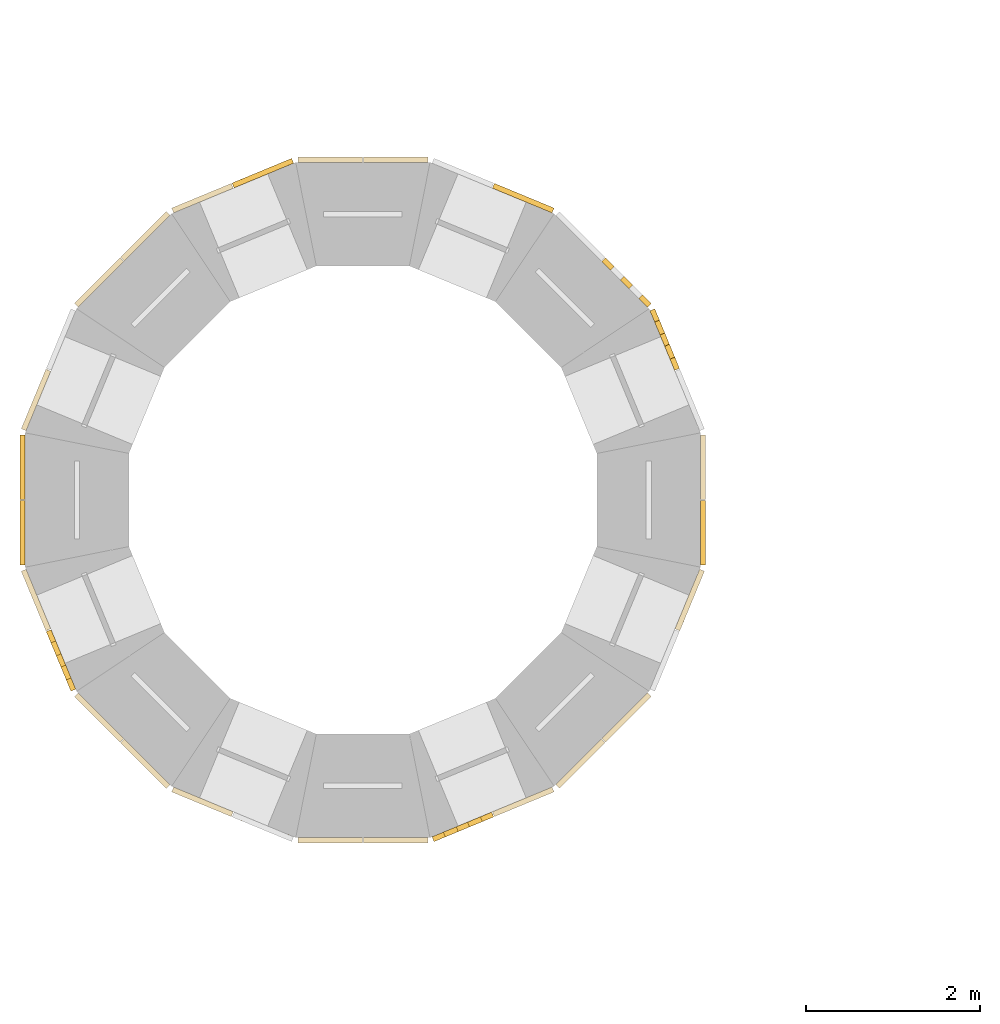
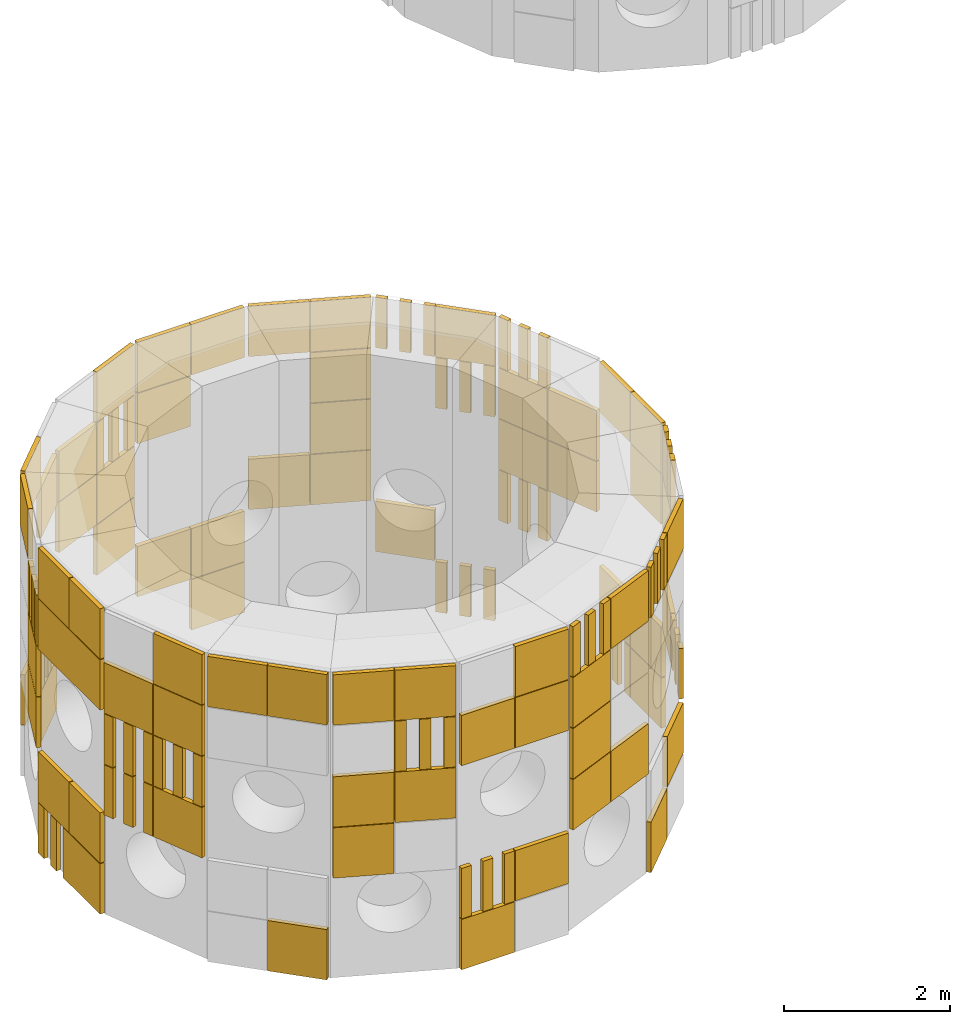
# One storey, part 34 of 42: 3 coverings.
"""IFC4 building model written with IfcOpenShell, lengths in metres."""

from ifc_helpers import new_model, si_unit, direction, frame, origin, origin_2d, place, context, subcontext, project, spatial, rectangle, extrude, material, layer, layer_set, type_object, element, save


model = new_model("IFC4")

# Units and contexts
model_context = context("Model", 3, precision=1e-05, world=origin(), true_north=direction((0.0, 1.0)))
body_context = subcontext(model_context, "Body", "Model", "MODEL_VIEW")
ifc_project = project(units=[si_unit("LENGTHUNIT", "METRE"), si_unit("AREAUNIT", "SQUARE_METRE"), si_unit("VOLUMEUNIT", "CUBIC_METRE"), si_unit("PLANEANGLEUNIT", "RADIAN"), si_unit("MASSUNIT", "GRAM", prefix="KILO")], contexts=[model_context])

# Site, building, storey
site_placement = place(None, origin())
site = spatial("IfcSite", under=ifc_project, at=site_placement, CompositionType="ELEMENT")
building_placement = place(site_placement, origin())
building = spatial("IfcBuilding", under=site, at=building_placement, Name="Sun Court Science Centre", CompositionType="ELEMENT")
storey_placement = place(building_placement, frame((0.0, 0.0, 20.25)))
storey = spatial("IfcBuildingStorey", under=building, at=storey_placement, Name="L04", CompositionType="ELEMENT", Elevation=20.25)

# Coverings
ifc_material_1 = material(Name="Terracotta jali", Category="masonry")
ifc_layer_1 = layer(ifc_material_1, 0.06005859375)
ifc_layer_set_1 = layer_set([ifc_layer_1], Name="Terracotta jali")
covering_type_1 = type_object("IfcCoveringType", Name="Terracotta open jali panel", PredefinedType="CLADDING", material=ifc_layer_set_1)
covering_1_placement = place(storey_placement, frame((0.0, 0.0, -20.25)))
element("IfcCovering", 1, at=covering_1_placement, inside=storey, type_object=covering_type_1, Name="Open jali pixel cladding cone 1 L04", PredefinedType="CLADDING", context=body_context, shape_type="SweptSolid", body=[
    extrude(rectangle(XDim=0.139892578125, YDim=0.06005859375, at=origin_2d()), frame((9.3486328125, 13.61767578125, 21.455078125), z_axis=(0.0, 0.0, 1.0), x_axis=(0.382683432365, -0.923879532511, 0.0)), (0.0, 0.0, 1.0), 0.739990234375),
    extrude(rectangle(XDim=0.139892578125, YDim=0.06005859375, at=origin_2d()), frame((9.46337890625, 13.340576171875, 21.455078125), z_axis=(0.0, 0.0, 1.0), x_axis=(0.382683432365, -0.923879532511, 0.0)), (0.0, 0.0, 1.0), 0.739990234375),
    extrude(rectangle(XDim=0.139892578125, YDim=0.06005859375, at=origin_2d()), frame((9.578125, 13.063232421875, 21.455078125), z_axis=(0.0, 0.0, 1.0), x_axis=(0.382683432365, -0.923879532511, 0.0)), (0.0, 0.0, 1.0), 0.739990234375),
    extrude(rectangle(XDim=0.139892578125, YDim=0.06005859375, at=origin_2d()), frame((9.3486328125, 13.61767578125, 23.705078125), z_axis=(0.0, 0.0, 1.0), x_axis=(0.382683432365, -0.923879532511, 0.0)), (0.0, 0.0, 1.0), 0.739990234375),
    extrude(rectangle(XDim=0.139892578125, YDim=0.06005859375, at=origin_2d()), frame((9.46337890625, 13.340576171875, 23.705078125), z_axis=(0.0, 0.0, 1.0), x_axis=(0.382683432365, -0.923879532511, 0.0)), (0.0, 0.0, 1.0), 0.739990234375),
    extrude(rectangle(XDim=0.139892578125, YDim=0.06005859375, at=origin_2d()), frame((9.578125, 13.063232421875, 23.705078125), z_axis=(0.0, 0.0, 1.0), x_axis=(0.382683432365, -0.923879532511, 0.0)), (0.0, 0.0, 1.0), 0.739990234375),
    extrude(rectangle(XDim=0.139892578125, YDim=0.06005859375, at=origin_2d()), frame((8.813720703125, 14.20751953125, 19.955078125), z_axis=(0.0, 0.0, 1.0), x_axis=(0.707106781187, -0.707106781187, 0.0)), (0.0, 0.0, 1.0), 0.739990234375),
    extrude(rectangle(XDim=0.139892578125, YDim=0.06005859375, at=origin_2d()), frame((9.02587890625, 13.995361328125, 19.955078125), z_axis=(0.0, 0.0, 1.0), x_axis=(0.707106781187, -0.707106781187, 0.0)), (0.0, 0.0, 1.0), 0.739990234375),
    extrude(rectangle(XDim=0.139892578125, YDim=0.06005859375, at=origin_2d()), frame((9.23779296875, 13.783203125, 19.955078125), z_axis=(0.0, 0.0, 1.0), x_axis=(0.707106781187, -0.707106781187, 0.0)), (0.0, 0.0, 1.0), 0.739990234375),
    extrude(rectangle(XDim=0.139892578125, YDim=0.06005859375, at=origin_2d()), frame((8.813720703125, 14.20751953125, 22.955078125), z_axis=(0.0, 0.0, 1.0), x_axis=(0.707106781187, -0.707106781187, 0.0)), (0.0, 0.0, 1.0), 0.739990234375),
    extrude(rectangle(XDim=0.139892578125, YDim=0.06005859375, at=origin_2d()), frame((9.02587890625, 13.995361328125, 22.955078125), z_axis=(0.0, 0.0, 1.0), x_axis=(0.707106781187, -0.707106781187, 0.0)), (0.0, 0.0, 1.0), 0.739990234375),
    extrude(rectangle(XDim=0.139892578125, YDim=0.06005859375, at=origin_2d()), frame((9.23779296875, 13.783203125, 22.955078125), z_axis=(0.0, 0.0, 1.0), x_axis=(0.707106781187, -0.707106781187, 0.0)), (0.0, 0.0, 1.0), 0.739990234375),
    extrude(rectangle(XDim=0.139892578125, YDim=0.06005859375, at=origin_2d()), frame((8.283203125, 14.73779296875, 23.705078125), z_axis=(0.0, 0.0, 1.0), x_axis=(0.707106781187, -0.707106781187, 0.0)), (0.0, 0.0, 1.0), 0.739990234375),
    extrude(rectangle(XDim=0.139892578125, YDim=0.06005859375, at=origin_2d()), frame((8.495361328125, 14.52587890625, 23.705078125), z_axis=(0.0, 0.0, 1.0), x_axis=(0.707106781187, -0.707106781187, 0.0)), (0.0, 0.0, 1.0), 0.739990234375),
    extrude(rectangle(XDim=0.139892578125, YDim=0.06005859375, at=origin_2d()), frame((8.70751953125, 14.313720703125, 23.705078125), z_axis=(0.0, 0.0, 1.0), x_axis=(0.707106781187, -0.707106781187, 0.0)), (0.0, 0.0, 1.0), 0.739990234375),
    extrude(rectangle(XDim=0.139892578125, YDim=0.06005859375, at=origin_2d()), frame((4.5751953125, 15.1357421875, 22.955078125), z_axis=(0.0, 0.0, 1.0), x_axis=(0.923879532511, 0.382683432365, 0.0)), (0.0, 0.0, 1.0), 0.739990234375),
    extrude(rectangle(XDim=0.139892578125, YDim=0.06005859375, at=origin_2d()), frame((4.8525390625, 15.25048828125, 22.955078125), z_axis=(0.0, 0.0, 1.0), x_axis=(0.923879532511, 0.382683432365, 0.0)), (0.0, 0.0, 1.0), 0.739990234375),
    extrude(rectangle(XDim=0.139892578125, YDim=0.06005859375, at=origin_2d()), frame((5.129638671875, 15.365234375, 22.955078125), z_axis=(0.0, 0.0, 1.0), x_axis=(0.923879532511, 0.382683432365, 0.0)), (0.0, 0.0, 1.0), 0.739990234375),
    extrude(rectangle(XDim=0.139892578125, YDim=0.06005859375, at=origin_2d()), frame((3.29248046875, 14.313720703125, 20.705078125), z_axis=(0.0, 0.0, 1.0), x_axis=(0.707106781187, 0.707106781187, 0.0)), (0.0, 0.0, 1.0), 0.739990234375),
    extrude(rectangle(XDim=0.139892578125, YDim=0.06005859375, at=origin_2d()), frame((3.504638671875, 14.52587890625, 20.705078125), z_axis=(0.0, 0.0, 1.0), x_axis=(0.707106781187, 0.707106781187, 0.0)), (0.0, 0.0, 1.0), 0.739990234375),
    extrude(rectangle(XDim=0.139892578125, YDim=0.06005859375, at=origin_2d()), frame((3.716796875, 14.73779296875, 20.705078125), z_axis=(0.0, 0.0, 1.0), x_axis=(0.707106781187, 0.707106781187, 0.0)), (0.0, 0.0, 1.0), 0.739990234375),
    extrude(rectangle(XDim=0.139892578125, YDim=0.06005859375, at=origin_2d()), frame((2.134765625, 12.370361328125, 22.955078125), z_axis=(0.0, 0.0, 1.0), x_axis=(0.382683432365, 0.923879532511, 0.0)), (0.0, 0.0, 1.0), 0.739990234375),
    extrude(rectangle(XDim=0.139892578125, YDim=0.06005859375, at=origin_2d()), frame((2.24951171875, 12.6474609375, 22.955078125), z_axis=(0.0, 0.0, 1.0), x_axis=(0.382683432365, 0.923879532511, 0.0)), (0.0, 0.0, 1.0), 0.739990234375),
    extrude(rectangle(XDim=0.139892578125, YDim=0.06005859375, at=origin_2d()), frame((2.3642578125, 12.9248046875, 22.955078125), z_axis=(0.0, 0.0, 1.0), x_axis=(0.382683432365, 0.923879532511, 0.0)), (0.0, 0.0, 1.0), 0.739990234375),
    extrude(rectangle(XDim=0.139892578125, YDim=0.06005859375, at=origin_2d()), frame((2.095947265625, 11.574951171875, 19.955078125), z_axis=(0.0, 0.0, 1.0), x_axis=(0.0, 1.0, 0.0)), (0.0, 0.0, 1.0), 0.739990234375),
    extrude(rectangle(XDim=0.139892578125, YDim=0.06005859375, at=origin_2d()), frame((2.095947265625, 11.875, 19.955078125), z_axis=(0.0, 0.0, 1.0), x_axis=(0.0, 1.0, 0.0)), (0.0, 0.0, 1.0), 0.739990234375),
    extrude(rectangle(XDim=0.139892578125, YDim=0.06005859375, at=origin_2d()), frame((2.095947265625, 12.175048828125, 19.955078125), z_axis=(0.0, 0.0, 1.0), x_axis=(0.0, 1.0, 0.0)), (0.0, 0.0, 1.0), 0.739990234375),
    extrude(rectangle(XDim=0.139892578125, YDim=0.06005859375, at=origin_2d()), frame((2.3642578125, 10.0751953125, 21.455078125), z_axis=(0.0, 0.0, 1.0), x_axis=(-0.382683432365, 0.923879532511, 0.0)), (0.0, 0.0, 1.0), 0.739990234375),
    extrude(rectangle(XDim=0.139892578125, YDim=0.06005859375, at=origin_2d()), frame((2.24951171875, 10.3525390625, 21.455078125), z_axis=(0.0, 0.0, 1.0), x_axis=(-0.382683432365, 0.923879532511, 0.0)), (0.0, 0.0, 1.0), 0.739990234375),
    extrude(rectangle(XDim=0.139892578125, YDim=0.06005859375, at=origin_2d()), frame((2.134765625, 10.629638671875, 21.455078125), z_axis=(0.0, 0.0, 1.0), x_axis=(-0.382683432365, 0.923879532511, 0.0)), (0.0, 0.0, 1.0), 0.739990234375),
    extrude(rectangle(XDim=0.139892578125, YDim=0.06005859375, at=origin_2d()), frame((2.6513671875, 9.38232421875, 22.205078125), z_axis=(0.0, 0.0, 1.0), x_axis=(-0.382683432365, 0.923879532511, 0.0)), (0.0, 0.0, 1.0), 0.739990234375),
    extrude(rectangle(XDim=0.139892578125, YDim=0.06005859375, at=origin_2d()), frame((2.53662109375, 9.659423828125, 22.205078125), z_axis=(0.0, 0.0, 1.0), x_axis=(-0.382683432365, 0.923879532511, 0.0)), (0.0, 0.0, 1.0), 0.739990234375),
    extrude(rectangle(XDim=0.139892578125, YDim=0.06005859375, at=origin_2d()), frame((2.421875, 9.936767578125, 22.205078125), z_axis=(0.0, 0.0, 1.0), x_axis=(-0.382683432365, 0.923879532511, 0.0)), (0.0, 0.0, 1.0), 0.739990234375),
    extrude(rectangle(XDim=0.139892578125, YDim=0.06005859375, at=origin_2d()), frame((2.3642578125, 10.0751953125, 22.205078125), z_axis=(0.0, 0.0, 1.0), x_axis=(-0.382683432365, 0.923879532511, 0.0)), (0.0, 0.0, 1.0), 0.739990234375),
    extrude(rectangle(XDim=0.139892578125, YDim=0.06005859375, at=origin_2d()), frame((2.24951171875, 10.3525390625, 22.205078125), z_axis=(0.0, 0.0, 1.0), x_axis=(-0.382683432365, 0.923879532511, 0.0)), (0.0, 0.0, 1.0), 0.739990234375),
    extrude(rectangle(XDim=0.139892578125, YDim=0.06005859375, at=origin_2d()), frame((2.134765625, 10.629638671875, 22.205078125), z_axis=(0.0, 0.0, 1.0), x_axis=(-0.382683432365, 0.923879532511, 0.0)), (0.0, 0.0, 1.0), 0.739990234375),
    extrude(rectangle(XDim=0.139892578125, YDim=0.06005859375, at=origin_2d()), frame((5.129638671875, 7.634765625, 22.955078125), z_axis=(0.0, 0.0, 1.0), x_axis=(-0.923879532511, 0.382683432365, 0.0)), (0.0, 0.0, 1.0), 0.739990234375),
    extrude(rectangle(XDim=0.139892578125, YDim=0.06005859375, at=origin_2d()), frame((4.8525390625, 7.74951171875, 22.955078125), z_axis=(0.0, 0.0, 1.0), x_axis=(-0.923879532511, 0.382683432365, 0.0)), (0.0, 0.0, 1.0), 0.739990234375),
    extrude(rectangle(XDim=0.139892578125, YDim=0.06005859375, at=origin_2d()), frame((4.5751953125, 7.8642578125, 22.955078125), z_axis=(0.0, 0.0, 1.0), x_axis=(-0.923879532511, 0.382683432365, 0.0)), (0.0, 0.0, 1.0), 0.739990234375),
    extrude(rectangle(XDim=0.139892578125, YDim=0.06005859375, at=origin_2d()), frame((5.925048828125, 7.595947265625, 20.705078125), z_axis=(0.0, 0.0, 1.0), x_axis=(-1.0, 0.0, 0.0)), (0.0, 0.0, 1.0), 0.739990234375),
    extrude(rectangle(XDim=0.139892578125, YDim=0.06005859375, at=origin_2d()), frame((5.625, 7.595947265625, 20.705078125), z_axis=(0.0, 0.0, 1.0), x_axis=(-1.0, 0.0, 0.0)), (0.0, 0.0, 1.0), 0.739990234375),
    extrude(rectangle(XDim=0.139892578125, YDim=0.06005859375, at=origin_2d()), frame((5.324951171875, 7.595947265625, 20.705078125), z_axis=(0.0, 0.0, 1.0), x_axis=(-1.0, 0.0, 0.0)), (0.0, 0.0, 1.0), 0.739990234375),
    extrude(rectangle(XDim=0.139892578125, YDim=0.06005859375, at=origin_2d()), frame((7.4248046875, 7.8642578125, 23.705078125), z_axis=(0.0, 0.0, 1.0), x_axis=(-0.923879532511, -0.382683432365, 0.0)), (0.0, 0.0, 1.0), 0.739990234375),
    extrude(rectangle(XDim=0.139892578125, YDim=0.06005859375, at=origin_2d()), frame((7.1474609375, 7.74951171875, 23.705078125), z_axis=(0.0, 0.0, 1.0), x_axis=(-0.923879532511, -0.382683432365, 0.0)), (0.0, 0.0, 1.0), 0.739990234375),
    extrude(rectangle(XDim=0.139892578125, YDim=0.06005859375, at=origin_2d()), frame((6.870361328125, 7.634765625, 23.705078125), z_axis=(0.0, 0.0, 1.0), x_axis=(-0.923879532511, -0.382683432365, 0.0)), (0.0, 0.0, 1.0), 0.739990234375),
    extrude(rectangle(XDim=0.139892578125, YDim=0.06005859375, at=origin_2d()), frame((8.70751953125, 8.686279296875, 23.705078125), z_axis=(0.0, 0.0, 1.0), x_axis=(-0.707106781187, -0.707106781187, 0.0)), (0.0, 0.0, 1.0), 0.739990234375),
    extrude(rectangle(XDim=0.139892578125, YDim=0.06005859375, at=origin_2d()), frame((8.495361328125, 8.47412109375, 23.705078125), z_axis=(0.0, 0.0, 1.0), x_axis=(-0.707106781187, -0.707106781187, 0.0)), (0.0, 0.0, 1.0), 0.739990234375),
    extrude(rectangle(XDim=0.139892578125, YDim=0.06005859375, at=origin_2d()), frame((8.283203125, 8.26220703125, 23.705078125), z_axis=(0.0, 0.0, 1.0), x_axis=(-0.707106781187, -0.707106781187, 0.0)), (0.0, 0.0, 1.0), 0.739990234375),
    extrude(rectangle(XDim=0.139892578125, YDim=0.06005859375, at=origin_2d()), frame((9.578125, 9.936767578125, 21.455078125), z_axis=(0.0, 0.0, 1.0), x_axis=(-0.382683432365, -0.923879532511, 0.0)), (0.0, 0.0, 1.0), 0.739990234375),
    extrude(rectangle(XDim=0.139892578125, YDim=0.06005859375, at=origin_2d()), frame((9.46337890625, 9.659423828125, 21.455078125), z_axis=(0.0, 0.0, 1.0), x_axis=(-0.382683432365, -0.923879532511, 0.0)), (0.0, 0.0, 1.0), 0.739990234375),
    extrude(rectangle(XDim=0.139892578125, YDim=0.06005859375, at=origin_2d()), frame((9.3486328125, 9.38232421875, 21.455078125), z_axis=(0.0, 0.0, 1.0), x_axis=(-0.382683432365, -0.923879532511, 0.0)), (0.0, 0.0, 1.0), 0.739990234375),
    extrude(rectangle(XDim=0.139892578125, YDim=0.06005859375, at=origin_2d()), frame((9.865234375, 10.629638671875, 23.705078125), z_axis=(0.0, 0.0, 1.0), x_axis=(-0.382683432365, -0.923879532511, 0.0)), (0.0, 0.0, 1.0), 0.739990234375),
    extrude(rectangle(XDim=0.139892578125, YDim=0.06005859375, at=origin_2d()), frame((9.75048828125, 10.3525390625, 23.705078125), z_axis=(0.0, 0.0, 1.0), x_axis=(-0.382683432365, -0.923879532511, 0.0)), (0.0, 0.0, 1.0), 0.739990234375),
    extrude(rectangle(XDim=0.139892578125, YDim=0.06005859375, at=origin_2d()), frame((9.6357421875, 10.0751953125, 23.705078125), z_axis=(0.0, 0.0, 1.0), x_axis=(-0.382683432365, -0.923879532511, 0.0)), (0.0, 0.0, 1.0), 0.739990234375),
    extrude(rectangle(XDim=0.139892578125, YDim=0.06005859375, at=origin_2d()), frame((9.904052734375, 12.175048828125, 19.955078125), z_axis=(0.0, 0.0, 1.0), x_axis=(0.0, -1.0, 0.0)), (0.0, 0.0, 1.0), 0.739990234375),
    extrude(rectangle(XDim=0.139892578125, YDim=0.06005859375, at=origin_2d()), frame((9.904052734375, 11.875, 19.955078125), z_axis=(0.0, 0.0, 1.0), x_axis=(0.0, -1.0, 0.0)), (0.0, 0.0, 1.0), 0.739990234375),
    extrude(rectangle(XDim=0.139892578125, YDim=0.06005859375, at=origin_2d()), frame((9.904052734375, 11.574951171875, 19.955078125), z_axis=(0.0, 0.0, 1.0), x_axis=(0.0, -1.0, 0.0)), (0.0, 0.0, 1.0), 0.739990234375),
    extrude(rectangle(XDim=0.739990234375, YDim=0.06005859375, at=origin_2d()), frame((2.095947265625, 11.875, 22.955078125), z_axis=(0.0, 0.0, 1.0), x_axis=(0.0, 1.0, 0.0)), (0.0, 0.0, 1.0), 0.739990234375),
    extrude(rectangle(XDim=0.739990234375, YDim=0.06005859375, at=origin_2d()), frame((2.095947265625, 11.875, 23.705078125), z_axis=(0.0, 0.0, 1.0), x_axis=(0.0, 1.0, 0.0)), (0.0, 0.0, 1.0), 0.739990234375),
    extrude(rectangle(XDim=0.739990234375, YDim=0.06005859375, at=origin_2d()), frame((2.095947265625, 11.875, 20.705078125), z_axis=(0.0, 0.0, 1.0), x_axis=(0.0, 1.0, 0.0)), (0.0, 0.0, 1.0), 0.739990234375),
    extrude(rectangle(XDim=0.739990234375, YDim=0.06005859375, at=origin_2d()), frame((9.904052734375, 11.125, 22.955078125), z_axis=(0.0, 0.0, 1.0), x_axis=(0.0, -1.0, 0.0)), (0.0, 0.0, 1.0), 0.739990234375),
    extrude(rectangle(XDim=0.739990234375, YDim=0.06005859375, at=origin_2d()), frame((2.095947265625, 11.125, 19.955078125), z_axis=(0.0, 0.0, 1.0), x_axis=(0.0, 1.0, 0.0)), (0.0, 0.0, 1.0), 0.739990234375),
    extrude(rectangle(XDim=0.739990234375, YDim=0.06005859375, at=origin_2d()), frame((2.095947265625, 11.125, 22.955078125), z_axis=(0.0, 0.0, 1.0), x_axis=(0.0, 1.0, 0.0)), (0.0, 0.0, 1.0), 0.739990234375),
    extrude(rectangle(XDim=0.739990234375, YDim=0.06005859375, at=origin_2d()), frame((7.1474609375, 15.25048828125, 21.455078125), z_axis=(0.0, 0.0, 1.0), x_axis=(0.923879532511, -0.382683432365, 0.0)), (0.0, 0.0, 1.0), 0.739990234375),
    extrude(rectangle(XDim=0.739990234375, YDim=0.06005859375, at=origin_2d()), frame((7.1474609375, 15.25048828125, 23.705078125), z_axis=(0.0, 0.0, 1.0), x_axis=(0.923879532511, -0.382683432365, 0.0)), (0.0, 0.0, 1.0), 0.739990234375),
    extrude(rectangle(XDim=0.739990234375, YDim=0.06005859375, at=origin_2d()), frame((4.8525390625, 15.25048828125, 23.705078125), z_axis=(0.0, 0.0, 1.0), x_axis=(0.923879532511, 0.382683432365, 0.0)), (0.0, 0.0, 1.0), 0.739990234375),
])
ifc_material_2 = material(Name="Terracotta shade 1", Category="masonry")
ifc_layer_2 = layer(ifc_material_2, 0.06005859375)
ifc_layer_set_2 = layer_set([ifc_layer_2], Name="Terracotta shade 1")
covering_type_2 = type_object("IfcCoveringType", Name="Terracotta pixel panel shade 1", PredefinedType="CLADDING", material=ifc_layer_set_2)
covering_2_placement = place(storey_placement, frame((0.0, 0.0, -20.25)))
element("IfcCovering", 2, at=covering_2_placement, inside=storey, type_object=covering_type_2, Name="Terracotta pixel cladding shade 1 cone 1 L04", PredefinedType="CLADDING", context=body_context, shape_type="SweptSolid", body=[
    extrude(rectangle(XDim=0.739990234375, YDim=0.06005859375, at=origin_2d()), frame((6.375, 15.404052734375, 19.955078125), z_axis=(0.0, 0.0, 1.0), x_axis=(1.0, 0.0, 0.0)), (0.0, 0.0, 1.0), 0.739990234375),
    extrude(rectangle(XDim=0.739990234375, YDim=0.06005859375, at=origin_2d()), frame((6.375, 15.404052734375, 20.705078125), z_axis=(0.0, 0.0, 1.0), x_axis=(1.0, 0.0, 0.0)), (0.0, 0.0, 1.0), 0.739990234375),
    extrude(rectangle(XDim=0.739990234375, YDim=0.06005859375, at=origin_2d()), frame((5.625, 15.404052734375, 23.705078125), z_axis=(0.0, 0.0, 1.0), x_axis=(1.0, 0.0, 0.0)), (0.0, 0.0, 1.0), 0.739990234375),
    extrude(rectangle(XDim=0.739990234375, YDim=0.06005859375, at=origin_2d()), frame((4.8525390625, 15.25048828125, 21.455078125), z_axis=(0.0, 0.0, 1.0), x_axis=(0.923879532511, 0.382683432365, 0.0)), (0.0, 0.0, 1.0), 0.739990234375),
    extrude(rectangle(XDim=0.739990234375, YDim=0.06005859375, at=origin_2d()), frame((4.8525390625, 15.25048828125, 22.205078125), z_axis=(0.0, 0.0, 1.0), x_axis=(0.923879532511, 0.382683432365, 0.0)), (0.0, 0.0, 1.0), 0.739990234375),
    extrude(rectangle(XDim=0.739990234375, YDim=0.06005859375, at=origin_2d()), frame((4.159423828125, 14.96337890625, 22.955078125), z_axis=(0.0, 0.0, 1.0), x_axis=(0.923879532511, 0.382683432365, 0.0)), (0.0, 0.0, 1.0), 0.739990234375),
    extrude(rectangle(XDim=0.739990234375, YDim=0.06005859375, at=origin_2d()), frame((3.504638671875, 14.52587890625, 19.955078125), z_axis=(0.0, 0.0, 1.0), x_axis=(0.707106781187, 0.707106781187, 0.0)), (0.0, 0.0, 1.0), 0.739990234375),
    extrude(rectangle(XDim=0.739990234375, YDim=0.06005859375, at=origin_2d()), frame((2.97412109375, 13.995361328125, 20.705078125), z_axis=(0.0, 0.0, 1.0), x_axis=(0.707106781187, 0.707106781187, 0.0)), (0.0, 0.0, 1.0), 0.739990234375),
    extrude(rectangle(XDim=0.739990234375, YDim=0.06005859375, at=origin_2d()), frame((2.97412109375, 13.995361328125, 23.705078125), z_axis=(0.0, 0.0, 1.0), x_axis=(0.707106781187, 0.707106781187, 0.0)), (0.0, 0.0, 1.0), 0.739990234375),
    extrude(rectangle(XDim=0.739990234375, YDim=0.06005859375, at=origin_2d()), frame((2.24951171875, 12.6474609375, 21.455078125), z_axis=(0.0, 0.0, 1.0), x_axis=(0.382683432365, 0.923879532511, 0.0)), (0.0, 0.0, 1.0), 0.739990234375),
    extrude(rectangle(XDim=0.739990234375, YDim=0.06005859375, at=origin_2d()), frame((2.24951171875, 12.6474609375, 22.205078125), z_axis=(0.0, 0.0, 1.0), x_axis=(0.382683432365, 0.923879532511, 0.0)), (0.0, 0.0, 1.0), 0.739990234375),
    extrude(rectangle(XDim=0.739990234375, YDim=0.06005859375, at=origin_2d()), frame((2.53662109375, 9.659423828125, 22.955078125), z_axis=(0.0, 0.0, 1.0), x_axis=(-0.382683432365, 0.923879532511, 0.0)), (0.0, 0.0, 1.0), 0.739990234375),
    extrude(rectangle(XDim=0.739990234375, YDim=0.06005859375, at=origin_2d()), frame((2.24951171875, 10.3525390625, 22.955078125), z_axis=(0.0, 0.0, 1.0), x_axis=(-0.382683432365, 0.923879532511, 0.0)), (0.0, 0.0, 1.0), 0.739990234375),
    extrude(rectangle(XDim=0.739990234375, YDim=0.06005859375, at=origin_2d()), frame((3.504638671875, 8.47412109375, 19.955078125), z_axis=(0.0, 0.0, 1.0), x_axis=(-0.707106781187, 0.707106781187, 0.0)), (0.0, 0.0, 1.0), 0.739990234375),
    extrude(rectangle(XDim=0.739990234375, YDim=0.06005859375, at=origin_2d()), frame((2.97412109375, 9.004638671875, 23.705078125), z_axis=(0.0, 0.0, 1.0), x_axis=(-0.707106781187, 0.707106781187, 0.0)), (0.0, 0.0, 1.0), 0.739990234375),
    extrude(rectangle(XDim=0.739990234375, YDim=0.06005859375, at=origin_2d()), frame((4.159423828125, 8.03662109375, 21.455078125), z_axis=(0.0, 0.0, 1.0), x_axis=(-0.923879532511, 0.382683432365, 0.0)), (0.0, 0.0, 1.0), 0.739990234375),
    extrude(rectangle(XDim=0.739990234375, YDim=0.06005859375, at=origin_2d()), frame((4.159423828125, 8.03662109375, 22.205078125), z_axis=(0.0, 0.0, 1.0), x_axis=(-0.923879532511, 0.382683432365, 0.0)), (0.0, 0.0, 1.0), 0.739990234375),
    extrude(rectangle(XDim=0.739990234375, YDim=0.06005859375, at=origin_2d()), frame((4.159423828125, 8.03662109375, 23.705078125), z_axis=(0.0, 0.0, 1.0), x_axis=(-0.923879532511, 0.382683432365, 0.0)), (0.0, 0.0, 1.0), 0.739990234375),
    extrude(rectangle(XDim=0.739990234375, YDim=0.06005859375, at=origin_2d()), frame((6.375, 7.595947265625, 20.705078125), z_axis=(0.0, 0.0, 1.0), x_axis=(-1.0, 0.0, 0.0)), (0.0, 0.0, 1.0), 0.739990234375),
    extrude(rectangle(XDim=0.739990234375, YDim=0.06005859375, at=origin_2d()), frame((5.625, 7.595947265625, 22.955078125), z_axis=(0.0, 0.0, 1.0), x_axis=(-1.0, 0.0, 0.0)), (0.0, 0.0, 1.0), 0.739990234375),
    extrude(rectangle(XDim=0.739990234375, YDim=0.06005859375, at=origin_2d()), frame((6.375, 7.595947265625, 23.705078125), z_axis=(0.0, 0.0, 1.0), x_axis=(-1.0, 0.0, 0.0)), (0.0, 0.0, 1.0), 0.739990234375),
    extrude(rectangle(XDim=0.739990234375, YDim=0.06005859375, at=origin_2d()), frame((7.840576171875, 8.03662109375, 21.455078125), z_axis=(0.0, 0.0, 1.0), x_axis=(-0.923879532511, -0.382683432365, 0.0)), (0.0, 0.0, 1.0), 0.739990234375),
    extrude(rectangle(XDim=0.739990234375, YDim=0.06005859375, at=origin_2d()), frame((7.1474609375, 7.74951171875, 21.455078125), z_axis=(0.0, 0.0, 1.0), x_axis=(-0.923879532511, -0.382683432365, 0.0)), (0.0, 0.0, 1.0), 0.739990234375),
    extrude(rectangle(XDim=0.739990234375, YDim=0.06005859375, at=origin_2d()), frame((7.840576171875, 8.03662109375, 23.705078125), z_axis=(0.0, 0.0, 1.0), x_axis=(-0.923879532511, -0.382683432365, 0.0)), (0.0, 0.0, 1.0), 0.739990234375),
    extrude(rectangle(XDim=0.739990234375, YDim=0.06005859375, at=origin_2d()), frame((8.495361328125, 8.47412109375, 19.955078125), z_axis=(0.0, 0.0, 1.0), x_axis=(-0.707106781187, -0.707106781187, 0.0)), (0.0, 0.0, 1.0), 0.739990234375),
    extrude(rectangle(XDim=0.739990234375, YDim=0.06005859375, at=origin_2d()), frame((9.02587890625, 9.004638671875, 20.705078125), z_axis=(0.0, 0.0, 1.0), x_axis=(-0.707106781187, -0.707106781187, 0.0)), (0.0, 0.0, 1.0), 0.739990234375),
    extrude(rectangle(XDim=0.739990234375, YDim=0.06005859375, at=origin_2d()), frame((9.75048828125, 10.3525390625, 22.955078125), z_axis=(0.0, 0.0, 1.0), x_axis=(-0.382683432365, -0.923879532511, 0.0)), (0.0, 0.0, 1.0), 0.739990234375),
    extrude(rectangle(XDim=0.739990234375, YDim=0.06005859375, at=origin_2d()), frame((9.904052734375, 11.125, 19.955078125), z_axis=(0.0, 0.0, 1.0), x_axis=(0.0, -1.0, 0.0)), (0.0, 0.0, 1.0), 0.739990234375),
    extrude(rectangle(XDim=0.739990234375, YDim=0.06005859375, at=origin_2d()), frame((9.904052734375, 11.125, 20.705078125), z_axis=(0.0, 0.0, 1.0), x_axis=(0.0, -1.0, 0.0)), (0.0, 0.0, 1.0), 0.739990234375),
    extrude(rectangle(XDim=0.739990234375, YDim=0.06005859375, at=origin_2d()), frame((9.904052734375, 11.875, 23.705078125), z_axis=(0.0, 0.0, 1.0), x_axis=(0.0, -1.0, 0.0)), (0.0, 0.0, 1.0), 0.739990234375),
    extrude(rectangle(XDim=0.739990234375, YDim=0.06005859375, at=origin_2d()), frame((9.904052734375, 11.125, 23.705078125), z_axis=(0.0, 0.0, 1.0), x_axis=(0.0, -1.0, 0.0)), (0.0, 0.0, 1.0), 0.739990234375),
    extrude(rectangle(XDim=0.739990234375, YDim=0.06005859375, at=origin_2d()), frame((5.625, 7.595947265625, 19.955078125), z_axis=(0.0, 0.0, 1.0), x_axis=(-1.0, 0.0, 0.0)), (0.0, 0.0, 1.0), 0.739990234375),
    extrude(rectangle(XDim=0.739990234375, YDim=0.06005859375, at=origin_2d()), frame((5.625, 15.404052734375, 20.705078125), z_axis=(0.0, 0.0, 1.0), x_axis=(1.0, 0.0, 0.0)), (0.0, 0.0, 1.0), 0.739990234375),
    extrude(rectangle(XDim=0.739990234375, YDim=0.06005859375, at=origin_2d()), frame((5.625, 15.404052734375, 22.955078125), z_axis=(0.0, 0.0, 1.0), x_axis=(1.0, 0.0, 0.0)), (0.0, 0.0, 1.0), 0.739990234375),
    extrude(rectangle(XDim=0.739990234375, YDim=0.06005859375, at=origin_2d()), frame((6.375, 15.404052734375, 23.705078125), z_axis=(0.0, 0.0, 1.0), x_axis=(1.0, 0.0, 0.0)), (0.0, 0.0, 1.0), 0.739990234375),
])
ifc_material_3 = material(Name="Terracotta shade 2", Category="masonry")
ifc_layer_3 = layer(ifc_material_3, 0.06005859375)
ifc_layer_set_3 = layer_set([ifc_layer_3], Name="Terracotta shade 2")
covering_type_3 = type_object("IfcCoveringType", Name="Terracotta pixel panel shade 2", PredefinedType="CLADDING", material=ifc_layer_set_3)
covering_3_placement = place(storey_placement, frame((0.0, 0.0, -20.25)))
element("IfcCovering", 3, at=covering_3_placement, inside=storey, type_object=covering_type_3, Name="Terracotta pixel cladding shade 2 cone 1 L04", PredefinedType="CLADDING", context=body_context, shape_type="SweptSolid", body=[
    extrude(rectangle(XDim=0.739990234375, YDim=0.06005859375, at=origin_2d()), frame((9.46337890625, 13.340576171875, 22.205078125), z_axis=(0.0, 0.0, 1.0), x_axis=(0.382683432365, -0.923879532511, 0.0)), (0.0, 0.0, 1.0), 0.739990234375),
    extrude(rectangle(XDim=0.739990234375, YDim=0.06005859375, at=origin_2d()), frame((9.75048828125, 12.6474609375, 22.205078125), z_axis=(0.0, 0.0, 1.0), x_axis=(0.382683432365, -0.923879532511, 0.0)), (0.0, 0.0, 1.0), 0.739990234375),
    extrude(rectangle(XDim=0.739990234375, YDim=0.06005859375, at=origin_2d()), frame((9.46337890625, 13.340576171875, 22.955078125), z_axis=(0.0, 0.0, 1.0), x_axis=(0.382683432365, -0.923879532511, 0.0)), (0.0, 0.0, 1.0), 0.739990234375),
    extrude(rectangle(XDim=0.739990234375, YDim=0.06005859375, at=origin_2d()), frame((9.75048828125, 12.6474609375, 22.955078125), z_axis=(0.0, 0.0, 1.0), x_axis=(0.382683432365, -0.923879532511, 0.0)), (0.0, 0.0, 1.0), 0.739990234375),
    extrude(rectangle(XDim=0.739990234375, YDim=0.06005859375, at=origin_2d()), frame((8.495361328125, 14.52587890625, 20.705078125), z_axis=(0.0, 0.0, 1.0), x_axis=(0.707106781187, -0.707106781187, 0.0)), (0.0, 0.0, 1.0), 0.739990234375),
    extrude(rectangle(XDim=0.739990234375, YDim=0.06005859375, at=origin_2d()), frame((9.02587890625, 13.995361328125, 23.705078125), z_axis=(0.0, 0.0, 1.0), x_axis=(0.707106781187, -0.707106781187, 0.0)), (0.0, 0.0, 1.0), 0.739990234375),
    extrude(rectangle(XDim=0.739990234375, YDim=0.06005859375, at=origin_2d()), frame((7.840576171875, 14.96337890625, 21.455078125), z_axis=(0.0, 0.0, 1.0), x_axis=(0.923879532511, -0.382683432365, 0.0)), (0.0, 0.0, 1.0), 0.739990234375),
    extrude(rectangle(XDim=0.739990234375, YDim=0.06005859375, at=origin_2d()), frame((7.840576171875, 14.96337890625, 22.205078125), z_axis=(0.0, 0.0, 1.0), x_axis=(0.923879532511, -0.382683432365, 0.0)), (0.0, 0.0, 1.0), 0.739990234375),
    extrude(rectangle(XDim=0.739990234375, YDim=0.06005859375, at=origin_2d()), frame((7.840576171875, 14.96337890625, 22.955078125), z_axis=(0.0, 0.0, 1.0), x_axis=(0.923879532511, -0.382683432365, 0.0)), (0.0, 0.0, 1.0), 0.739990234375),
    extrude(rectangle(XDim=0.739990234375, YDim=0.06005859375, at=origin_2d()), frame((7.840576171875, 14.96337890625, 23.705078125), z_axis=(0.0, 0.0, 1.0), x_axis=(0.923879532511, -0.382683432365, 0.0)), (0.0, 0.0, 1.0), 0.739990234375),
    extrude(rectangle(XDim=0.739990234375, YDim=0.06005859375, at=origin_2d()), frame((4.159423828125, 14.96337890625, 22.205078125), z_axis=(0.0, 0.0, 1.0), x_axis=(0.923879532511, 0.382683432365, 0.0)), (0.0, 0.0, 1.0), 0.739990234375),
    extrude(rectangle(XDim=0.739990234375, YDim=0.06005859375, at=origin_2d()), frame((3.504638671875, 14.52587890625, 22.955078125), z_axis=(0.0, 0.0, 1.0), x_axis=(0.707106781187, 0.707106781187, 0.0)), (0.0, 0.0, 1.0), 0.739990234375),
    extrude(rectangle(XDim=0.739990234375, YDim=0.06005859375, at=origin_2d()), frame((2.53662109375, 13.340576171875, 23.705078125), z_axis=(0.0, 0.0, 1.0), x_axis=(0.382683432365, 0.923879532511, 0.0)), (0.0, 0.0, 1.0), 0.739990234375),
    extrude(rectangle(XDim=0.739990234375, YDim=0.06005859375, at=origin_2d()), frame((2.095947265625, 11.125, 20.705078125), z_axis=(0.0, 0.0, 1.0), x_axis=(0.0, 1.0, 0.0)), (0.0, 0.0, 1.0), 0.739990234375),
    extrude(rectangle(XDim=0.739990234375, YDim=0.06005859375, at=origin_2d()), frame((2.095947265625, 11.125, 23.705078125), z_axis=(0.0, 0.0, 1.0), x_axis=(0.0, 1.0, 0.0)), (0.0, 0.0, 1.0), 0.739990234375),
    extrude(rectangle(XDim=0.739990234375, YDim=0.06005859375, at=origin_2d()), frame((2.53662109375, 9.659423828125, 21.455078125), z_axis=(0.0, 0.0, 1.0), x_axis=(-0.382683432365, 0.923879532511, 0.0)), (0.0, 0.0, 1.0), 0.739990234375),
    extrude(rectangle(XDim=0.739990234375, YDim=0.06005859375, at=origin_2d()), frame((2.53662109375, 9.659423828125, 23.705078125), z_axis=(0.0, 0.0, 1.0), x_axis=(-0.382683432365, 0.923879532511, 0.0)), (0.0, 0.0, 1.0), 0.739990234375),
    extrude(rectangle(XDim=0.739990234375, YDim=0.06005859375, at=origin_2d()), frame((3.504638671875, 8.47412109375, 23.705078125), z_axis=(0.0, 0.0, 1.0), x_axis=(-0.707106781187, 0.707106781187, 0.0)), (0.0, 0.0, 1.0), 0.739990234375),
    extrude(rectangle(XDim=0.739990234375, YDim=0.06005859375, at=origin_2d()), frame((4.8525390625, 7.74951171875, 22.205078125), z_axis=(0.0, 0.0, 1.0), x_axis=(-0.923879532511, 0.382683432365, 0.0)), (0.0, 0.0, 1.0), 0.739990234375),
    extrude(rectangle(XDim=0.739990234375, YDim=0.06005859375, at=origin_2d()), frame((4.8525390625, 7.74951171875, 23.705078125), z_axis=(0.0, 0.0, 1.0), x_axis=(-0.923879532511, 0.382683432365, 0.0)), (0.0, 0.0, 1.0), 0.739990234375),
    extrude(rectangle(XDim=0.739990234375, YDim=0.06005859375, at=origin_2d()), frame((6.375, 7.595947265625, 22.955078125), z_axis=(0.0, 0.0, 1.0), x_axis=(-1.0, 0.0, 0.0)), (0.0, 0.0, 1.0), 0.739990234375),
    extrude(rectangle(XDim=0.739990234375, YDim=0.06005859375, at=origin_2d()), frame((7.1474609375, 7.74951171875, 22.205078125), z_axis=(0.0, 0.0, 1.0), x_axis=(-0.923879532511, -0.382683432365, 0.0)), (0.0, 0.0, 1.0), 0.739990234375),
    extrude(rectangle(XDim=0.739990234375, YDim=0.06005859375, at=origin_2d()), frame((7.1474609375, 7.74951171875, 22.955078125), z_axis=(0.0, 0.0, 1.0), x_axis=(-0.923879532511, -0.382683432365, 0.0)), (0.0, 0.0, 1.0), 0.739990234375),
    extrude(rectangle(XDim=0.739990234375, YDim=0.06005859375, at=origin_2d()), frame((9.02587890625, 9.004638671875, 23.705078125), z_axis=(0.0, 0.0, 1.0), x_axis=(-0.707106781187, -0.707106781187, 0.0)), (0.0, 0.0, 1.0), 0.739990234375),
    extrude(rectangle(XDim=0.739990234375, YDim=0.06005859375, at=origin_2d()), frame((9.75048828125, 10.3525390625, 21.455078125), z_axis=(0.0, 0.0, 1.0), x_axis=(-0.382683432365, -0.923879532511, 0.0)), (0.0, 0.0, 1.0), 0.739990234375),
    extrude(rectangle(XDim=0.739990234375, YDim=0.06005859375, at=origin_2d()), frame((9.904052734375, 11.875, 20.705078125), z_axis=(0.0, 0.0, 1.0), x_axis=(0.0, -1.0, 0.0)), (0.0, 0.0, 1.0), 0.739990234375),
])

save(model, "model.ifc")
